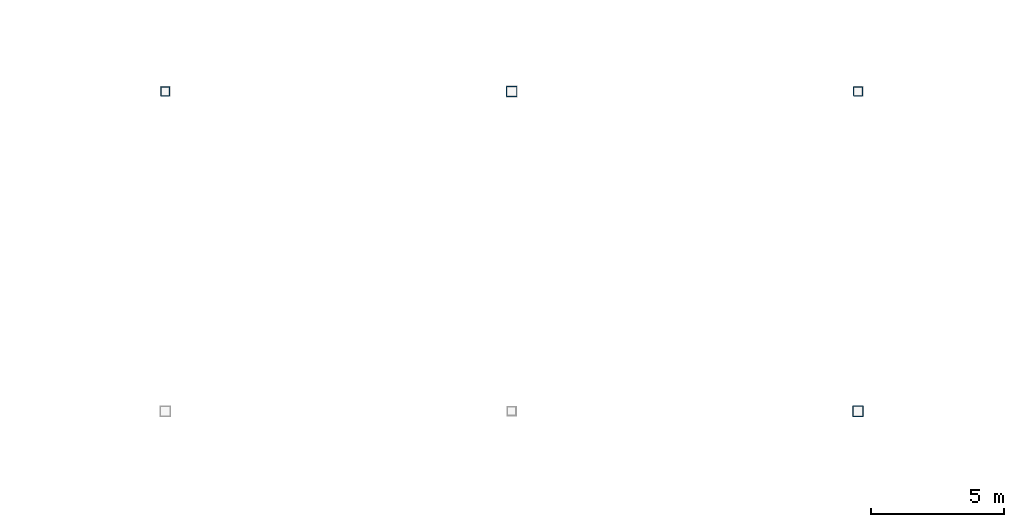
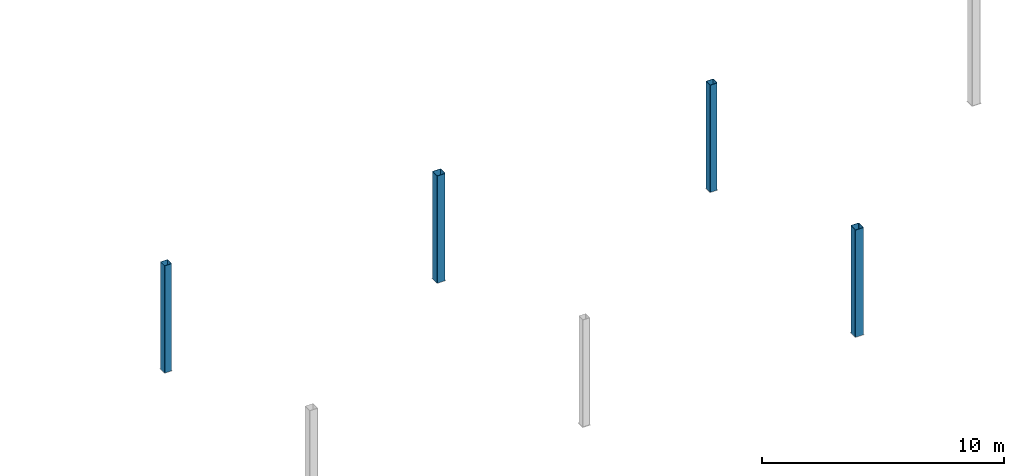
# One storey, part 6 of 76: 4 columns.
"""IFC4 building model written with IfcOpenShell, lengths in metres."""

import ifcopenshell
import ifcopenshell.guid

model = None  # the IFC model being written
_history = None  # IfcOwnerHistory: only IFC2X3 demands one
_inside = {}  # id of a spatial element -> (the spatial element, [elements in it])
_under = {}  # id of a project, library or spatial element -> (it, [spatial elements below it])
_declared = {}  # id of a project -> (the project, [libraries it declares])
_typed = {}  # id of a type object -> (the type object, [elements of that type])
_made_of = {}  # id of a material, layer set ... -> (it, [elements and type objects made of it])


def new_model(schema):
    """Start an empty IFC model of exactly this schema.

    Asked for "IFC4X3", IfcOpenShell would pick the latest addendum, in which some entities
    have other attributes; the version numbers below select the first issue.
    IFC2X3 requires an IfcOwnerHistory on every rooted entity: one is made here for all.
    """
    global model, _history
    if schema == "IFC4X3":
        model = ifcopenshell.file(schema_version=(4, 3, 0, 0))
    else:
        model = ifcopenshell.file(schema=schema)
    _inside.clear()
    _under.clear()
    _declared.clear()
    _typed.clear()
    _made_of.clear()
    _history = None
    if model.schema == "IFC2X3":
        org = make("IfcOrganization", Name="unknown")
        user = make(
            "IfcPersonAndOrganization",
            ThePerson=make("IfcPerson", FamilyName="unknown"),
            TheOrganization=org,
        )
        app = make(
            "IfcApplication",
            ApplicationDeveloper=org,
            Version="unknown",
            ApplicationFullName="unknown",
            ApplicationIdentifier="unknown",
        )
        _history = make(
            "IfcOwnerHistory",
            OwningUser=user,
            OwningApplication=app,
            ChangeAction="ADDED",
            CreationDate=0,
        )
    return model


def make(cls, **values):
    """One entity of the class cls with the attributes given. An attribute that is None is left unset."""
    return model.create_entity(
        cls, **{name: value for name, value in values.items() if value is not None}
    )


def rooted(cls, **values):
    """An entity with a GlobalId (a new one), such as an element, a storey or a relation."""
    return make(cls, GlobalId=ifcopenshell.guid.new(), OwnerHistory=_history, **values)


def si_unit(unit_type, name, prefix=None):
    """IfcSIUnit, for example si_unit("LENGTHUNIT", "METRE", prefix="MILLI")."""
    return make("IfcSIUnit", UnitType=unit_type, Prefix=prefix, Name=name)


def assignment(units):
    """IfcUnitAssignment: the units of a project."""
    return None if units is None else make("IfcUnitAssignment", Units=units)


def point(xyz):
    """IfcCartesianPoint."""
    return None if xyz is None else make("IfcCartesianPoint", Coordinates=xyz)


def direction(xyz):
    """IfcDirection."""
    return None if xyz is None else make("IfcDirection", DirectionRatios=xyz)


def frame(location, z_axis=None, x_axis=None):
    """IfcAxis2Placement3D, a coordinate frame: its origin and axes. An axis left out is left unset."""
    return make(
        "IfcAxis2Placement3D",
        Location=point(location),
        Axis=direction(z_axis),
        RefDirection=direction(x_axis),
    )


def frame_2d(location, x_axis=None):
    """IfcAxis2Placement2D, a coordinate frame in the plane: its origin and x axis."""
    return make(
        "IfcAxis2Placement2D", Location=point(location), RefDirection=direction(x_axis)
    )


def origin():
    """The frame at (0, 0, 0) with its axes left unset."""
    return frame((0.0, 0.0, 0.0))


def origin_2d():
    """The frame at (0, 0) in the plane with its x axis left unset."""
    return frame_2d((0.0, 0.0))


def place(relative_to, where):
    """IfcLocalPlacement: puts the frame where relative to a parent placement (None: the world)."""
    return make(
        "IfcLocalPlacement", PlacementRelTo=relative_to, RelativePlacement=where
    )


def context(
    kind, dimensions, precision=None, world=None, true_north=None, identifier=None
):
    """IfcGeometricRepresentationContext, for example the 3D "Model" context."""
    return make(
        "IfcGeometricRepresentationContext",
        ContextIdentifier=identifier,
        ContextType=kind,
        CoordinateSpaceDimension=dimensions,
        Precision=precision,
        WorldCoordinateSystem=world,
        TrueNorth=true_north,
    )


def subcontext(parent, identifier, kind, view, scale=None):
    """IfcGeometricRepresentationSubContext, for example "Body" below "Model"."""
    return make(
        "IfcGeometricRepresentationSubContext",
        ContextIdentifier=identifier,
        ContextType=kind,
        ParentContext=parent,
        TargetScale=scale,
        TargetView=view,
    )


def project(units=None, contexts=None):
    """IfcProject with its units and contexts."""
    return rooted(
        "IfcProject",
        Name="project",
        RepresentationContexts=contexts,
        UnitsInContext=assignment(units),
    )


def spatial(cls, under=None, at=None, **own):
    """A site, building, storey or space (cls), placed at a placement, below another one or the project."""
    s = rooted(cls, ObjectPlacement=at, **own)
    if under is not None:
        _under.setdefault(under.id(), (under, []))[1].append(s)
    return s


def profile(cls, at=None, kind="AREA", **sizes):
    """A parametric profile (cls). Its sizes go by their IFC names, for example OverallWidth=200.0."""
    return make(cls, ProfileType=kind, Position=at, **sizes)


def hollow_rectangle(**sizes):
    """IfcRectangleHollowProfileDef."""
    return profile("IfcRectangleHollowProfileDef", **sizes)


def extrude(swept, where, along, depth):
    """IfcExtrudedAreaSolid: the profile swept, set in the frame where, extruded along a direction by depth."""
    return make(
        "IfcExtrudedAreaSolid",
        SweptArea=swept,
        Position=where,
        ExtrudedDirection=direction(along),
        Depth=depth,
    )


def shape(context_of_items, identifier, shape_type, items):
    """IfcShapeRepresentation: the items that make up one representation, for example the "Body"."""
    return make(
        "IfcShapeRepresentation",
        ContextOfItems=context_of_items,
        RepresentationIdentifier=identifier,
        RepresentationType=shape_type,
        Items=items,
    )


def material(Name=None, Category=None):
    """IfcMaterial."""
    return make("IfcMaterial", Name=Name, Category=Category)


def material_profile(
    of_material, cross_section, Name=None, Category=None, Priority=None
):
    """IfcMaterialProfile: a cross section and its material."""
    return make(
        "IfcMaterialProfile",
        Name=Name,
        Material=of_material,
        Profile=cross_section,
        Priority=Priority,
        Category=Category,
    )


def profile_set(profiles, Name=None, composite=None):
    """IfcMaterialProfileSet."""
    return make(
        "IfcMaterialProfileSet",
        Name=Name,
        MaterialProfiles=profiles,
        CompositeProfile=composite,
    )


def made_of(thing, what):
    """Note that an element or type object is made of a material, layer set ...; save() writes the relation."""
    if what is not None:
        _made_of.setdefault(what.id(), (what, []))[1].append(thing)
    return thing


def type_object(cls, material=None, **own):
    """A type object (cls), such as IfcWallType, which elements share."""
    return made_of(rooted(cls, **own), material)


def element(
    cls,
    number,
    at=None,
    inside=None,
    cuts=None,
    type_object=None,
    material=None,
    context=None,
    identifier="Body",
    shape_type=None,
    held_by="IfcProductDefinitionShape",
    body=None,
    shapes=None,
    **own,
):
    """One element of the class cls, such as IfcWall. Its Tag is "e" and its number.

    at: its placement. inside: the storey or other place that contains it. cuts: it is an
    opening in that element (IfcRelVoidsElement). A single representation is given by context,
    identifier, shape_type and body (its items); several are given by shapes. held_by: the class
    of the entity that holds the representations. save() writes the other relations.
    """
    e = rooted(cls, Tag="e%d" % number, ObjectPlacement=at, **own)
    if body is not None:
        shapes = [shape(context, identifier, shape_type, body)]
    if shapes is not None:
        e.Representation = make(held_by, Representations=shapes)
    if inside is not None:
        _inside.setdefault(inside.id(), (inside, []))[1].append(e)
    if cuts is not None:
        rooted(
            "IfcRelVoidsElement", RelatingBuildingElement=cuts, RelatedOpeningElement=e
        )
    if type_object is not None:
        _typed.setdefault(type_object.id(), (type_object, []))[1].append(e)
    return made_of(e, material)


def aggregate(whole, parts):
    """IfcRelAggregates: a whole, such as a stair, and the parts it consists of."""
    return rooted("IfcRelAggregates", RelatingObject=whole, RelatedObjects=parts)


def save(model, path):
    """Write the relations noted so far, then the file.

    IfcRelAggregates (storeys below a building ...), IfcRelContainedInSpatialStructure (elements
    in a storey), IfcRelDefinesByType, IfcRelAssociatesMaterial and IfcRelDeclares: one each for
    every whole, place, type object, material and project.
    """
    for whole, parts in _under.values():
        aggregate(whole, parts)
    for where, things in _inside.values():
        rooted(
            "IfcRelContainedInSpatialStructure",
            RelatedElements=things,
            RelatingStructure=where,
        )
    for kind, things in _typed.values():
        rooted("IfcRelDefinesByType", RelatedObjects=things, RelatingType=kind)
    for what, things in _made_of.values():
        rooted("IfcRelAssociatesMaterial", RelatedObjects=things, RelatingMaterial=what)
    for by, libraries in _declared.values():
        rooted("IfcRelDeclares", RelatingContext=by, RelatedDefinitions=libraries)
    model.write(path)


model = new_model("IFC4")

# Units and contexts
model_context = context("Model", 3, precision=1e-05, world=origin(), true_north=direction((0.0, 1.0)))
body_context = subcontext(model_context, "Body", "Model", "MODEL_VIEW")
ifc_project = project(units=[si_unit("LENGTHUNIT", "METRE"), si_unit("AREAUNIT", "SQUARE_METRE"), si_unit("VOLUMEUNIT", "CUBIC_METRE"), si_unit("PLANEANGLEUNIT", "RADIAN"), si_unit("MASSUNIT", "GRAM", prefix="KILO")], contexts=[model_context])

# Site, building, storey
site_placement = place(None, origin())
site = spatial("IfcSite", under=ifc_project, at=site_placement, CompositionType="ELEMENT")
building_placement = place(site_placement, origin())
building = spatial("IfcBuilding", under=site, at=building_placement, Name="Kazenohara Klinker Stadium", CompositionType="ELEMENT")
storey_placement = place(building_placement, frame((0.0, 0.0, 25.800048828125)))
storey = spatial("IfcBuildingStorey", under=building, at=storey_placement, Name="L05", CompositionType="ELEMENT", Elevation=25.800048828125)

# Columns
ifc_material = material(Name="Steel S355", Category="steel")
ifc_material_profile_1 = material_profile(ifc_material, hollow_rectangle(XDim=0.39990234375, YDim=0.39990234375, WallThickness=0.01611328125, InnerFilletRadius=0.01611328125, OuterFilletRadius=0.031982421875, at=origin_2d()), Name="SHS-400x400x16")
ifc_profile_set_1 = profile_set([ifc_material_profile_1], Name="Steel S355")
column_type_1 = type_object("IfcColumnType", Name="COL-ST01", PredefinedType="COLUMN", material=ifc_profile_set_1)
for number, where, z_axis, x_axis, name in (
    (1, (112.0, 36.0, 0.0), (0.0, 0.0, 1.0), (1.0, 0.0, 0.0), "Canopy ring support column SC01 L05 10/D"),
    (2, (125.0, 24.0, 0.0), (0.0, 0.0, 1.0), (1.0, 0.0, 0.0), "Canopy ring support column SC01 L05 11/C"),
):
    element("IfcColumn", number, at=place(storey_placement, frame(where, z_axis=z_axis, x_axis=x_axis)), inside=storey, type_object=column_type_1, Name=name, PredefinedType="COLUMN", context=body_context, shape_type="SweptSolid", body=[
        extrude(hollow_rectangle(XDim=0.39990234375, YDim=0.39990234375, WallThickness=0.01611328125, InnerFilletRadius=0.01611328125, OuterFilletRadius=0.031982421875, at=origin_2d()), origin(), (0.0, 0.0, 1.0), 5.39990234375),
    ])
ifc_material_profile_2 = material_profile(ifc_material, hollow_rectangle(XDim=0.35009765625, YDim=0.35009765625, WallThickness=0.01611328125, InnerFilletRadius=0.01611328125, OuterFilletRadius=0.031982421875, at=origin_2d()), Name="SHS-350x350x16")
ifc_profile_set_2 = profile_set([ifc_material_profile_2], Name="Steel S355")
column_type_2 = type_object("IfcColumnType", Name="COL-ST02", PredefinedType="COLUMN", material=ifc_profile_set_2)
for number, where, z_axis, x_axis, name in (
    (3, (99.0, 36.0, 0.0), (0.0, 0.0, 1.0), (1.0, 0.0, 0.0), "Canopy ring support column SC02 L05 9/D"),
    (4, (125.0, 36.0, 0.0), (0.0, 0.0, 1.0), (1.0, 0.0, 0.0), "Canopy ring support column SC02 L05 11/D"),
):
    element("IfcColumn", number, at=place(storey_placement, frame(where, z_axis=z_axis, x_axis=x_axis)), inside=storey, type_object=column_type_2, Name=name, PredefinedType="COLUMN", context=body_context, shape_type="SweptSolid", body=[
        extrude(hollow_rectangle(XDim=0.35009765625, YDim=0.35009765625, WallThickness=0.01611328125, InnerFilletRadius=0.01611328125, OuterFilletRadius=0.031982421875, at=origin_2d()), origin(), (0.0, 0.0, 1.0), 5.39990234375),
    ])

save(model, "model.ifc")
